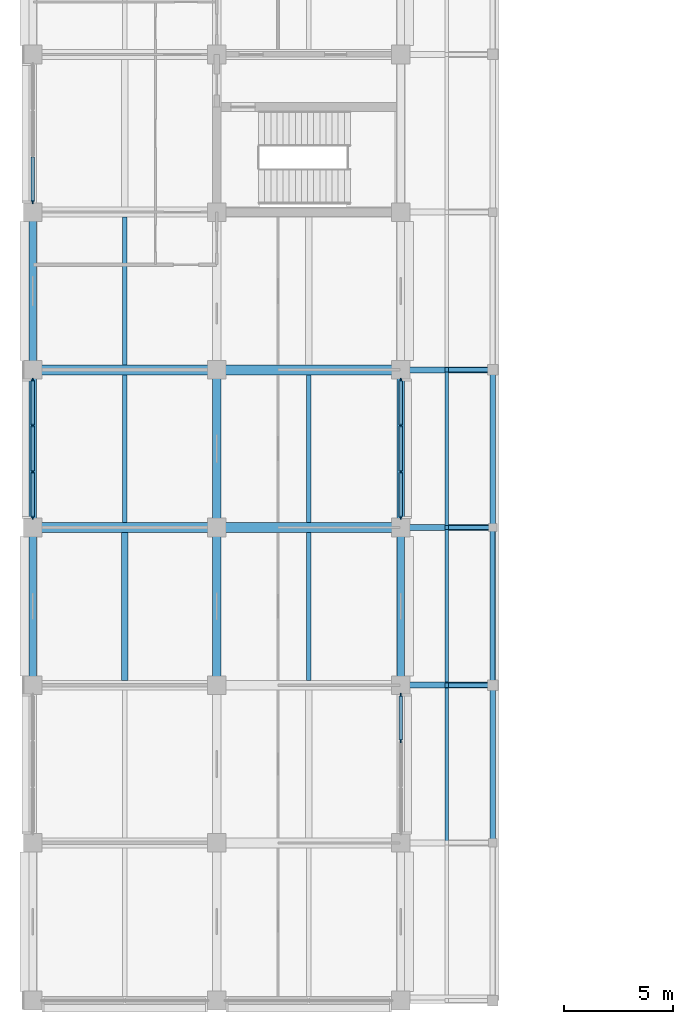
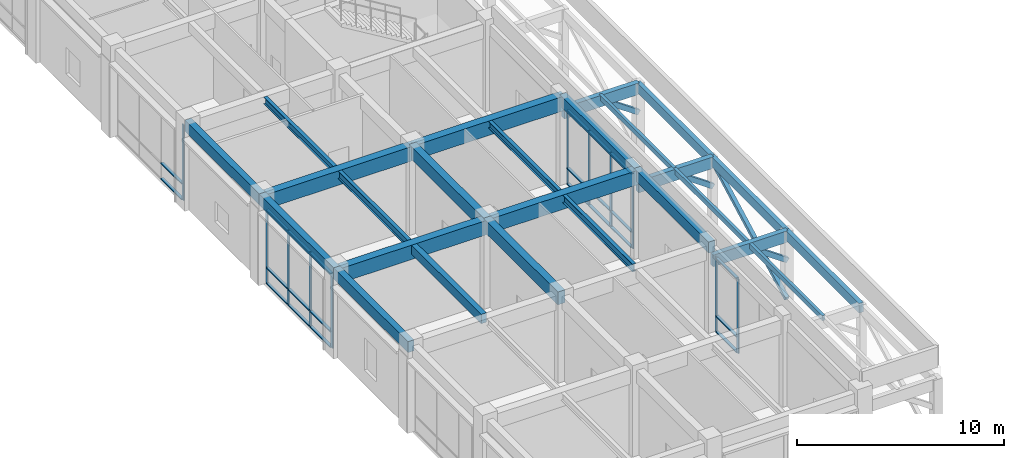
# One storey, part 5 of 68: 41 members, 22 beams, 4 elements without a shape of their own.
"""IFC4 building model written with IfcOpenShell, lengths in metres."""

from ifc_helpers import new_model, si_unit, direction, frame, origin, origin_2d, place, context, subcontext, project, spatial, rectangle, i_section, extrude, material, layer, layer_set, material_profile, profile_set, type_object, element, aggregate, save


model = new_model("IFC4")

# Units and contexts
model_context = context("Model", 3, precision=1e-05, world=origin(), true_north=direction((0.0, 1.0)))
body_context = subcontext(model_context, "Body", "Model", "MODEL_VIEW")
ifc_project = project(units=[si_unit("LENGTHUNIT", "METRE"), si_unit("AREAUNIT", "SQUARE_METRE"), si_unit("VOLUMEUNIT", "CUBIC_METRE"), si_unit("PLANEANGLEUNIT", "RADIAN"), si_unit("MASSUNIT", "GRAM", prefix="KILO")], contexts=[model_context])

# Site, building, storey
site_placement = place(None, origin())
site = spatial("IfcSite", under=ifc_project, at=site_placement, CompositionType="ELEMENT")
building_placement = place(site_placement, origin())
building = spatial("IfcBuilding", under=site, at=building_placement, Name="Chengyuan Square Courthouse", CompositionType="ELEMENT")
storey_placement = place(building_placement, frame((0.0, 0.0, 5.39990234375)))
storey = spatial("IfcBuildingStorey", under=building, at=storey_placement, Name="L02", CompositionType="ELEMENT", Elevation=5.39990234375)

# Beams
ifc_material_1 = material(Name="Concrete C40", Category="concrete")
ifc_material_profile_1 = material_profile(ifc_material_1, rectangle(XDim=0.449951171875, YDim=0.85009765625, at=origin_2d()), Name="RC-BM-450x850")
ifc_profile_set_1 = profile_set([ifc_material_profile_1], Name="Concrete C40")
beam_type_1 = type_object("IfcBeamType", Name="BM-01", PredefinedType="USERDEFINED", material=ifc_profile_set_1)
beam_1_placement = place(storey_placement, frame((0.0, 21.60009765625, 4.625), z_axis=(1.0, 0.0, 0.0), x_axis=(0.0, 1.0, 0.0)))
element("IfcBeam", 1, at=beam_1_placement, inside=storey, type_object=beam_type_1, Name="Girder BM-L02-2083", ObjectType="GIRDER", PredefinedType="USERDEFINED", context=body_context, shape_type="SweptSolid", body=[
    extrude(rectangle(XDim=0.449951171875, YDim=0.85009765625, at=origin_2d()), origin(), (0.0, 0.0, 1.0), 8.39990234375),
])
beam_2_placement = place(storey_placement, frame((8.39990234375, 21.60009765625, 4.625), z_axis=(1.0, 0.0, 0.0), x_axis=(0.0, 1.0, 0.0)))
element("IfcBeam", 2, at=beam_2_placement, inside=storey, type_object=beam_type_1, Name="Girder BM-L02-2084", ObjectType="GIRDER", PredefinedType="USERDEFINED", context=body_context, shape_type="SweptSolid", body=[
    extrude(rectangle(XDim=0.449951171875, YDim=0.85009765625, at=origin_2d()), origin(), (0.0, 0.0, 1.0), 8.400146484375),
])
beam_3_placement = place(storey_placement, frame((0.0, 28.800048828125, 4.625), z_axis=(1.0, 0.0, 0.0), x_axis=(0.0, 1.0, 0.0)))
element("IfcBeam", 3, at=beam_3_placement, inside=storey, type_object=beam_type_1, Name="Girder BM-L02-2087", ObjectType="GIRDER", PredefinedType="USERDEFINED", context=body_context, shape_type="SweptSolid", body=[
    extrude(rectangle(XDim=0.449951171875, YDim=0.85009765625, at=origin_2d()), origin(), (0.0, 0.0, 1.0), 8.39990234375),
])
beam_4_placement = place(storey_placement, frame((8.39990234375, 28.800048828125, 4.625), z_axis=(1.0, 0.0, 0.0), x_axis=(0.0, 1.0, 0.0)))
element("IfcBeam", 4, at=beam_4_placement, inside=storey, type_object=beam_type_1, Name="Girder BM-L02-2088", ObjectType="GIRDER", PredefinedType="USERDEFINED", context=body_context, shape_type="SweptSolid", body=[
    extrude(rectangle(XDim=0.449951171875, YDim=0.85009765625, at=origin_2d()), origin(), (0.0, 0.0, 1.0), 8.400146484375),
])
ifc_material_profile_2 = material_profile(ifc_material_1, rectangle(XDim=0.39990234375, YDim=0.75, at=origin_2d()), Name="RC-BM-400x750")
ifc_profile_set_2 = profile_set([ifc_material_profile_2], Name="Concrete C40")
beam_type_2 = type_object("IfcBeamType", Name="BM-02", PredefinedType="USERDEFINED", material=ifc_profile_set_2)
beam_5_placement = place(storey_placement, frame((8.39990234375, 14.39990234375, 4.675048828125), z_axis=(0.0, 1.0, 0.0), x_axis=(-1.0, 0.0, 0.0)))
element("IfcBeam", 5, at=beam_5_placement, inside=storey, type_object=beam_type_2, Name="Girder BM-L02-2244", ObjectType="GIRDER", PredefinedType="USERDEFINED", context=body_context, shape_type="SweptSolid", body=[
    extrude(rectangle(XDim=0.39990234375, YDim=0.75, at=origin_2d()), origin(), (0.0, 0.0, 1.0), 7.2001953125),
])
beam_6_placement = place(storey_placement, frame((8.39990234375, 21.60009765625, 4.675048828125), z_axis=(0.0, 1.0, 0.0), x_axis=(-1.0, 0.0, 0.0)))
element("IfcBeam", 6, at=beam_6_placement, inside=storey, type_object=beam_type_2, Name="Girder BM-L02-2245", ObjectType="GIRDER", PredefinedType="USERDEFINED", context=body_context, shape_type="SweptSolid", body=[
    extrude(rectangle(XDim=0.39990234375, YDim=0.75, at=origin_2d()), origin(), (0.0, 0.0, 1.0), 7.199951171875),
])
ifc_material_profile_3 = material_profile(ifc_material_1, rectangle(XDim=0.35009765625, YDim=0.64990234375, at=origin_2d()), Name="RC-BM-350x650")
ifc_profile_set_3 = profile_set([ifc_material_profile_3], Name="Concrete C40")
beam_type_3 = type_object("IfcBeamType", Name="BM-03", PredefinedType="SPANDREL", material=ifc_profile_set_3)
beam_7_placement = place(storey_placement, frame((0.0, 14.39990234375, 4.72509765625), z_axis=(0.0, 1.0, 0.0), x_axis=(-1.0, 0.0, 0.0)))
element("IfcBeam", 7, at=beam_7_placement, inside=storey, type_object=beam_type_3, Name="Girder BM-L02-2229", PredefinedType="SPANDREL", context=body_context, shape_type="SweptSolid", body=[
    extrude(rectangle(XDim=0.35009765625, YDim=0.64990234375, at=origin_2d()), origin(), (0.0, 0.0, 1.0), 7.2001953125),
])
for number, where, z_axis, x_axis, name in (
    (8, (0.0, 21.60009765625, 4.72509765625), (0.0, 1.0, 0.0), (-1.0, 0.0, 0.0), "Girder BM-L02-2230"),
    (9, (0.0, 28.800048828125, 4.72509765625), (0.0, 1.0, 0.0), (-1.0, 0.0, 0.0), "Girder BM-L02-2231"),
):
    element("IfcBeam", number, at=place(storey_placement, frame(where, z_axis=z_axis, x_axis=x_axis)), inside=storey, type_object=beam_type_3, Name=name, PredefinedType="SPANDREL", context=body_context, shape_type="SweptSolid", body=[
        extrude(rectangle(XDim=0.35009765625, YDim=0.64990234375, at=origin_2d()), origin(), (0.0, 0.0, 1.0), 7.199951171875),
    ])
beam_8_placement = place(storey_placement, frame((16.800048828125, 14.39990234375, 4.72509765625), z_axis=(0.0, 1.0, 0.0), x_axis=(-1.0, 0.0, 0.0)))
element("IfcBeam", 10, at=beam_8_placement, inside=storey, type_object=beam_type_3, Name="Girder BM-L02-2259", PredefinedType="SPANDREL", context=body_context, shape_type="SweptSolid", body=[
    extrude(rectangle(XDim=0.35009765625, YDim=0.64990234375, at=origin_2d()), origin(), (0.0, 0.0, 1.0), 7.2001953125),
])
beam_9_placement = place(storey_placement, frame((16.800048828125, 21.60009765625, 4.72509765625), z_axis=(0.0, 1.0, 0.0), x_axis=(-1.0, 0.0, 0.0)))
element("IfcBeam", 11, at=beam_9_placement, inside=storey, type_object=beam_type_3, Name="Girder BM-L02-2260", PredefinedType="SPANDREL", context=body_context, shape_type="SweptSolid", body=[
    extrude(rectangle(XDim=0.35009765625, YDim=0.64990234375, at=origin_2d()), origin(), (0.0, 0.0, 1.0), 7.199951171875),
])
ifc_material_profile_4 = material_profile(ifc_material_1, rectangle(XDim=0.300048828125, YDim=0.550048828125, at=origin_2d()), Name="RC-BM-300x550")
ifc_profile_set_4 = profile_set([ifc_material_profile_4], Name="Concrete C40")
beam_type_4 = type_object("IfcBeamType", Name="BM-04", PredefinedType="BEAM", material=ifc_profile_set_4)
beam_10_placement = place(storey_placement, frame((4.199951171875, 14.625, 4.775146484375), z_axis=(0.0, 1.0, 0.0), x_axis=(-1.0, 0.0, 0.0)))
element("IfcBeam", 12, at=beam_10_placement, inside=storey, type_object=beam_type_4, Name="Secondary Floor Beam SBM-L02-2392", PredefinedType="BEAM", context=body_context, shape_type="SweptSolid", body=[
    extrude(rectangle(XDim=0.300048828125, YDim=0.550048828125, at=origin_2d()), origin(), (0.0, 0.0, 1.0), 6.75),
])
ifc_material_2 = material(Name="Steel Q355B", Category="steel")
ifc_material_profile_5 = material_profile(ifc_material_2, i_section(OverallWidth=0.199951171875, OverallDepth=0.449951171875, WebThickness=0.009033203125, FlangeThickness=0.013916015625, at=origin_2d()), Name="HN 450x200x9x14")
ifc_profile_set_5 = profile_set([ifc_material_profile_5], Name="Steel Q355B")
beam_type_5 = type_object("IfcBeamType", Name="BM-06", PredefinedType="BEAM", material=ifc_profile_set_5)
for number, where, z_axis, x_axis, name in (
    (13, (4.199951171875, 21.824951171875, 4.8251953125), (0.0, 1.0, 0.0), (-1.0, 0.0, 0.0), "Secondary Floor Beam SBM-L02-2393"),
    (14, (12.60009765625, 14.625, 4.8251953125), (0.0, 1.0, 0.0), (-1.0, 0.0, 0.0), "Secondary Floor Beam SBM-L02-2407"),
):
    element("IfcBeam", number, at=place(storey_placement, frame(where, z_axis=z_axis, x_axis=x_axis)), inside=storey, type_object=beam_type_5, Name=name, PredefinedType="BEAM", context=body_context, shape_type="SweptSolid", body=[
        extrude(i_section(OverallWidth=0.199951171875, OverallDepth=0.449951171875, WebThickness=0.009033203125, FlangeThickness=0.013916015625, at=origin_2d()), origin(), (0.0, 0.0, 1.0), 6.75),
    ])
ifc_material_profile_6 = material_profile(ifc_material_2, i_section(OverallWidth=0.199951171875, OverallDepth=0.39990234375, WebThickness=0.008056640625, FlangeThickness=0.012939453125, at=origin_2d()), Name="HN 400x200x8x13")
ifc_profile_set_6 = profile_set([ifc_material_profile_6], Name="Steel Q355B")
beam_type_6 = type_object("IfcBeamType", Name="BM-07", PredefinedType="BEAM", material=ifc_profile_set_6)
for number, where, z_axis, x_axis, name in (
    (15, (4.199951171875, 29.02490234375, 4.85009765625), (0.0, 1.0, 0.0), (-1.0, 0.0, 0.0), "Secondary Floor Beam SBM-L02-2394"),
    (16, (12.60009765625, 21.824951171875, 4.85009765625), (0.0, 1.0, 0.0), (-1.0, 0.0, 0.0), "Secondary Floor Beam SBM-L02-2408"),
):
    element("IfcBeam", number, at=place(storey_placement, frame(where, z_axis=z_axis, x_axis=x_axis)), inside=storey, type_object=beam_type_6, Name=name, PredefinedType="BEAM", context=body_context, shape_type="SweptSolid", body=[
        extrude(i_section(OverallWidth=0.199951171875, OverallDepth=0.39990234375, WebThickness=0.008056640625, FlangeThickness=0.012939453125, at=origin_2d()), origin(), (0.0, 0.0, 1.0), 6.75),
    ])

# Member
ifc_material_3 = material(Name="Glulam TCt28", Category="wood")
ifc_material_profile_7 = material_profile(ifc_material_3, rectangle(XDim=0.219970703125, YDim=0.219970703125, at=origin_2d()), Name="GL-BR-220x220")
ifc_profile_set_7 = profile_set([ifc_material_profile_7], Name="Glulam TCt28")
member_type_1 = type_object("IfcMemberType", Name="BR-03", PredefinedType="BRACE", material=ifc_profile_set_7)
member_1_placement = place(storey_placement, frame((21.0, 14.39990234375, 0.2001953125), z_axis=(0.0, 0.883383945961, 0.468649980283), x_axis=(-1.0, 0.0, 0.0)))
element("IfcMember", 17, at=member_1_placement, inside=storey, type_object=member_type_1, Name="Glulam Colonnade Portal Brace GBR-L02-003", PredefinedType="BRACE", context=body_context, shape_type="SweptSolid", body=[
    extrude(rectangle(XDim=0.219970703125, YDim=0.219970703125, at=origin_2d()), origin(), (0.0, 0.0, 1.0), 8.150634765625),
])

# Curtain wall, members
ifc_material_4 = material(Name="Unitised Aluminium and Triple Low-E Glass", Category="aluminium")
ifc_layer = layer(ifc_material_4, 0.159912109375)
ifc_layer_set = layer_set([ifc_layer], Name="Unitised Aluminium and Triple Low-E Glass")
curtain_wall_type = type_object("IfcCurtainWallType", Name="CW-17", PredefinedType="USERDEFINED", material=ifc_layer_set)
curtain_wall_1_placement = place(storey_placement, origin())
curtain_wall_1 = element("IfcCurtainWall", 18, at=curtain_wall_1_placement, inside=storey, type_object=curtain_wall_type, Name="Unitised Curtain Wall CW-L02-045", ObjectType="UNITISED CURTAIN WALL", PredefinedType="USERDEFINED")
ifc_material_5 = material(Name="Aluminium 6063-T6 Frame", Category="aluminium")
ifc_material_profile_8 = material_profile(ifc_material_5, rectangle(XDim=0.06005859375, YDim=0.159912109375, at=origin_2d()), Name="CW-MUL-60x160")
ifc_profile_set_8 = profile_set([ifc_material_profile_8], Name="Aluminium 6063-T6 Frame")
member_type_2 = type_object("IfcMemberType", Name="CWM-01", PredefinedType="MULLION", material=ifc_profile_set_8)
member_2_placement = place(storey_placement, frame((0.0, 22.054931640625, 0.0), z_axis=(0.0, 0.0, 1.0), x_axis=(-1.0, 0.0, 0.0)))
member_2 = element("IfcMember", 19, at=member_2_placement, type_object=member_type_2, Name="CW-17 mullion 1", PredefinedType="MULLION", context=body_context, shape_type="SweptSolid", body=[
    extrude(rectangle(XDim=0.06005859375, YDim=0.159912109375, at=origin_2d()), origin(), (0.0, 0.0, 1.0), 4.400146484375),
])
member_3_placement = place(storey_placement, frame((0.0, 24.1416015625, 0.0), z_axis=(0.0, 0.0, 1.0), x_axis=(-1.0, 0.0, 0.0)))
member_3 = element("IfcMember", 20, at=member_3_placement, type_object=member_type_2, Name="CW-17 mullion 2", PredefinedType="MULLION", context=body_context, shape_type="SweptSolid", body=[
    extrude(rectangle(XDim=0.06005859375, YDim=0.159912109375, at=origin_2d()), origin(), (0.0, 0.0, 1.0), 4.400146484375),
])
member_4_placement = place(storey_placement, frame((0.0, 26.25830078125, 0.0), z_axis=(0.0, 0.0, 1.0), x_axis=(-1.0, 0.0, 0.0)))
member_4 = element("IfcMember", 21, at=member_4_placement, type_object=member_type_2, Name="CW-17 mullion 3", PredefinedType="MULLION", context=body_context, shape_type="SweptSolid", body=[
    extrude(rectangle(XDim=0.06005859375, YDim=0.159912109375, at=origin_2d()), origin(), (0.0, 0.0, 1.0), 4.400146484375),
])
member_5_placement = place(storey_placement, frame((0.0, 28.344970703125, 0.0), z_axis=(0.0, 0.0, 1.0), x_axis=(-1.0, 0.0, 0.0)))
member_5 = element("IfcMember", 22, at=member_5_placement, type_object=member_type_2, Name="CW-17 mullion 4", PredefinedType="MULLION", context=body_context, shape_type="SweptSolid", body=[
    extrude(rectangle(XDim=0.06005859375, YDim=0.159912109375, at=origin_2d()), origin(), (0.0, 0.0, 1.0), 4.400146484375),
])

# Curtain wall, member
curtain_wall_2_placement = place(storey_placement, origin())
curtain_wall_2 = element("IfcCurtainWall", 23, at=curtain_wall_2_placement, inside=storey, type_object=curtain_wall_type, Name="Unitised Curtain Wall CW-L02-046", ObjectType="UNITISED CURTAIN WALL", PredefinedType="USERDEFINED")
member_6_placement = place(storey_placement, frame((0.0, 36.455078125, 0.0), z_axis=(0.0, 0.0, 1.0), x_axis=(-1.0, 0.0, 0.0)))
member_6 = element("IfcMember", 24, at=member_6_placement, type_object=member_type_2, Name="CW-17 mullion 1", PredefinedType="MULLION", context=body_context, shape_type="SweptSolid", body=[
    extrude(rectangle(XDim=0.06005859375, YDim=0.159912109375, at=origin_2d()), origin(), (0.0, 0.0, 1.0), 4.47021484375),
])

# Curtain wall, members
curtain_wall_3_placement = place(storey_placement, origin())
curtain_wall_3 = element("IfcCurtainWall", 25, at=curtain_wall_3_placement, inside=storey, type_object=curtain_wall_type, Name="Unitised Curtain Wall CW-L02-050", ObjectType="UNITISED CURTAIN WALL", PredefinedType="USERDEFINED")
member_7_placement = place(storey_placement, frame((16.800048828125, 11.8583984375, 0.0), z_axis=(0.0, 0.0, 1.0), x_axis=(-1.0, 0.0, 0.0)))
member_7 = element("IfcMember", 26, at=member_7_placement, type_object=member_type_2, Name="CW-17 mullion 3", PredefinedType="MULLION", context=body_context, shape_type="SweptSolid", body=[
    extrude(rectangle(XDim=0.06005859375, YDim=0.159912109375, at=origin_2d()), origin(), (0.0, 0.0, 1.0), 4.400146484375),
])
member_8_placement = place(storey_placement, frame((16.800048828125, 13.945068359375, 0.0), z_axis=(0.0, 0.0, 1.0), x_axis=(-1.0, 0.0, 0.0)))
member_8 = element("IfcMember", 27, at=member_8_placement, type_object=member_type_2, Name="CW-17 mullion 4", PredefinedType="MULLION", context=body_context, shape_type="SweptSolid", body=[
    extrude(rectangle(XDim=0.06005859375, YDim=0.159912109375, at=origin_2d()), origin(), (0.0, 0.0, 1.0), 4.400146484375),
])

curtain_wall_4_placement = place(storey_placement, origin())
curtain_wall_4 = element("IfcCurtainWall", 28, at=curtain_wall_4_placement, inside=storey, type_object=curtain_wall_type, Name="Unitised Curtain Wall CW-L02-051", ObjectType="UNITISED CURTAIN WALL", PredefinedType="USERDEFINED")
member_9_placement = place(storey_placement, frame((16.800048828125, 22.054931640625, 0.0), z_axis=(0.0, 0.0, 1.0), x_axis=(-1.0, 0.0, 0.0)))
member_9 = element("IfcMember", 29, at=member_9_placement, type_object=member_type_2, Name="CW-17 mullion 1", PredefinedType="MULLION", context=body_context, shape_type="SweptSolid", body=[
    extrude(rectangle(XDim=0.06005859375, YDim=0.159912109375, at=origin_2d()), origin(), (0.0, 0.0, 1.0), 4.400146484375),
])
member_10_placement = place(storey_placement, frame((16.800048828125, 24.1416015625, 0.0), z_axis=(0.0, 0.0, 1.0), x_axis=(-1.0, 0.0, 0.0)))
member_10 = element("IfcMember", 30, at=member_10_placement, type_object=member_type_2, Name="CW-17 mullion 2", PredefinedType="MULLION", context=body_context, shape_type="SweptSolid", body=[
    extrude(rectangle(XDim=0.06005859375, YDim=0.159912109375, at=origin_2d()), origin(), (0.0, 0.0, 1.0), 4.400146484375),
])
member_11_placement = place(storey_placement, frame((16.800048828125, 26.25830078125, 0.0), z_axis=(0.0, 0.0, 1.0), x_axis=(-1.0, 0.0, 0.0)))
member_11 = element("IfcMember", 31, at=member_11_placement, type_object=member_type_2, Name="CW-17 mullion 3", PredefinedType="MULLION", context=body_context, shape_type="SweptSolid", body=[
    extrude(rectangle(XDim=0.06005859375, YDim=0.159912109375, at=origin_2d()), origin(), (0.0, 0.0, 1.0), 4.400146484375),
])
member_12_placement = place(storey_placement, frame((16.800048828125, 28.344970703125, 0.0), z_axis=(0.0, 0.0, 1.0), x_axis=(-1.0, 0.0, 0.0)))
member_12 = element("IfcMember", 32, at=member_12_placement, type_object=member_type_2, Name="CW-17 mullion 4", PredefinedType="MULLION", context=body_context, shape_type="SweptSolid", body=[
    extrude(rectangle(XDim=0.06005859375, YDim=0.159912109375, at=origin_2d()), origin(), (0.0, 0.0, 1.0), 4.400146484375),
])

# Member
ifc_material_profile_9 = material_profile(ifc_material_5, rectangle(XDim=0.159912109375, YDim=0.06005859375, at=origin_2d()), Name="CW-TRN-60x120")
ifc_profile_set_9 = profile_set([ifc_material_profile_9], Name="Aluminium 6063-T6 Frame")
member_type_3 = type_object("IfcMemberType", Name="CWT-01", PredefinedType="USERDEFINED", material=ifc_profile_set_9)
member_13_placement = place(storey_placement, frame((0.0, 22.0849609375, 0.030029296875), z_axis=(0.0, 1.0, 0.0), x_axis=(-1.0, 0.0, 0.0)))
member_13 = element("IfcMember", 33, at=member_13_placement, type_object=member_type_3, Name="CW-17 transom 1.1", ObjectType="TRANSOM", PredefinedType="USERDEFINED", context=body_context, shape_type="SweptSolid", body=[
    extrude(rectangle(XDim=0.159912109375, YDim=0.06005859375, at=origin_2d()), origin(), (0.0, 0.0, 1.0), 2.026611328125),
])

member_14_placement = place(storey_placement, frame((0.0, 22.0849609375, 0.9501953125), z_axis=(0.0, 1.0, 0.0), x_axis=(-1.0, 0.0, 0.0)))
member_14 = element("IfcMember", 34, at=member_14_placement, type_object=member_type_3, Name="CW-17 transom 1.2", ObjectType="TRANSOM", PredefinedType="USERDEFINED", context=body_context, shape_type="SweptSolid", body=[
    extrude(rectangle(XDim=0.159912109375, YDim=0.06005859375, at=origin_2d()), origin(), (0.0, 0.0, 1.0), 2.026611328125),
])

member_15_placement = place(storey_placement, frame((0.0, 22.0849609375, 4.3701171875), z_axis=(0.0, 1.0, 0.0), x_axis=(-1.0, 0.0, 0.0)))
member_15 = element("IfcMember", 35, at=member_15_placement, type_object=member_type_3, Name="CW-17 transom 1.3", ObjectType="TRANSOM", PredefinedType="USERDEFINED", context=body_context, shape_type="SweptSolid", body=[
    extrude(rectangle(XDim=0.159912109375, YDim=0.06005859375, at=origin_2d()), origin(), (0.0, 0.0, 1.0), 2.026611328125),
])

member_16_placement = place(storey_placement, frame((0.0, 24.171630859375, 0.030029296875), z_axis=(0.0, 1.0, 0.0), x_axis=(-1.0, 0.0, 0.0)))
member_16 = element("IfcMember", 36, at=member_16_placement, type_object=member_type_3, Name="CW-17 transom 2.1", ObjectType="TRANSOM", PredefinedType="USERDEFINED", context=body_context, shape_type="SweptSolid", body=[
    extrude(rectangle(XDim=0.159912109375, YDim=0.06005859375, at=origin_2d()), origin(), (0.0, 0.0, 1.0), 2.056640625),
])

member_17_placement = place(storey_placement, frame((0.0, 24.171630859375, 0.9501953125), z_axis=(0.0, 1.0, 0.0), x_axis=(-1.0, 0.0, 0.0)))
member_17 = element("IfcMember", 37, at=member_17_placement, type_object=member_type_3, Name="CW-17 transom 2.2", ObjectType="TRANSOM", PredefinedType="USERDEFINED", context=body_context, shape_type="SweptSolid", body=[
    extrude(rectangle(XDim=0.159912109375, YDim=0.06005859375, at=origin_2d()), origin(), (0.0, 0.0, 1.0), 2.056640625),
])

member_18_placement = place(storey_placement, frame((0.0, 24.171630859375, 4.3701171875), z_axis=(0.0, 1.0, 0.0), x_axis=(-1.0, 0.0, 0.0)))
member_18 = element("IfcMember", 38, at=member_18_placement, type_object=member_type_3, Name="CW-17 transom 2.3", ObjectType="TRANSOM", PredefinedType="USERDEFINED", context=body_context, shape_type="SweptSolid", body=[
    extrude(rectangle(XDim=0.159912109375, YDim=0.06005859375, at=origin_2d()), origin(), (0.0, 0.0, 1.0), 2.056640625),
])

member_19_placement = place(storey_placement, frame((0.0, 26.288330078125, 0.030029296875), z_axis=(0.0, 1.0, 0.0), x_axis=(-1.0, 0.0, 0.0)))
member_19 = element("IfcMember", 39, at=member_19_placement, type_object=member_type_3, Name="CW-17 transom 3.1", ObjectType="TRANSOM", PredefinedType="USERDEFINED", context=body_context, shape_type="SweptSolid", body=[
    extrude(rectangle(XDim=0.159912109375, YDim=0.06005859375, at=origin_2d()), origin(), (0.0, 0.0, 1.0), 2.026611328125),
])

member_20_placement = place(storey_placement, frame((0.0, 26.288330078125, 0.9501953125), z_axis=(0.0, 1.0, 0.0), x_axis=(-1.0, 0.0, 0.0)))
member_20 = element("IfcMember", 40, at=member_20_placement, type_object=member_type_3, Name="CW-17 transom 3.2", ObjectType="TRANSOM", PredefinedType="USERDEFINED", context=body_context, shape_type="SweptSolid", body=[
    extrude(rectangle(XDim=0.159912109375, YDim=0.06005859375, at=origin_2d()), origin(), (0.0, 0.0, 1.0), 2.026611328125),
])

member_21_placement = place(storey_placement, frame((0.0, 26.288330078125, 4.3701171875), z_axis=(0.0, 1.0, 0.0), x_axis=(-1.0, 0.0, 0.0)))
member_21 = element("IfcMember", 41, at=member_21_placement, type_object=member_type_3, Name="CW-17 transom 3.3", ObjectType="TRANSOM", PredefinedType="USERDEFINED", context=body_context, shape_type="SweptSolid", body=[
    extrude(rectangle(XDim=0.159912109375, YDim=0.06005859375, at=origin_2d()), origin(), (0.0, 0.0, 1.0), 2.026611328125),
])

aggregate(curtain_wall_1, [member_2, member_3, member_4, member_5, member_13, member_14, member_15, member_16, member_17, member_18, member_19, member_20, member_21])

member_22_placement = place(storey_placement, frame((0.0, 36.485107421875, 0.030029296875), z_axis=(0.0, 1.0, 0.0), x_axis=(-1.0, 0.0, 0.0)))
member_22 = element("IfcMember", 42, at=member_22_placement, type_object=member_type_3, Name="CW-17 transom 1.1", ObjectType="TRANSOM", PredefinedType="USERDEFINED", context=body_context, shape_type="SweptSolid", body=[
    extrude(rectangle(XDim=0.159912109375, YDim=0.06005859375, at=origin_2d()), origin(), (0.0, 0.0, 1.0), 2.026611328125),
])

member_23_placement = place(storey_placement, frame((0.0, 36.485107421875, 0.9501953125), z_axis=(0.0, 1.0, 0.0), x_axis=(-1.0, 0.0, 0.0)))
member_23 = element("IfcMember", 43, at=member_23_placement, type_object=member_type_3, Name="CW-17 transom 1.2", ObjectType="TRANSOM", PredefinedType="USERDEFINED", context=body_context, shape_type="SweptSolid", body=[
    extrude(rectangle(XDim=0.159912109375, YDim=0.06005859375, at=origin_2d()), origin(), (0.0, 0.0, 1.0), 2.026611328125),
])

aggregate(curtain_wall_2, [member_6, member_22, member_23])

member_24_placement = place(storey_placement, frame((16.800048828125, 11.888427734375, 0.030029296875), z_axis=(0.0, 1.0, 0.0), x_axis=(-1.0, 0.0, 0.0)))
member_24 = element("IfcMember", 44, at=member_24_placement, type_object=member_type_3, Name="CW-17 transom 3.1", ObjectType="TRANSOM", PredefinedType="USERDEFINED", context=body_context, shape_type="SweptSolid", body=[
    extrude(rectangle(XDim=0.159912109375, YDim=0.06005859375, at=origin_2d()), origin(), (0.0, 0.0, 1.0), 2.026611328125),
])

member_25_placement = place(storey_placement, frame((16.800048828125, 11.888427734375, 0.9501953125), z_axis=(0.0, 1.0, 0.0), x_axis=(-1.0, 0.0, 0.0)))
member_25 = element("IfcMember", 45, at=member_25_placement, type_object=member_type_3, Name="CW-17 transom 3.2", ObjectType="TRANSOM", PredefinedType="USERDEFINED", context=body_context, shape_type="SweptSolid", body=[
    extrude(rectangle(XDim=0.159912109375, YDim=0.06005859375, at=origin_2d()), origin(), (0.0, 0.0, 1.0), 2.026611328125),
])

member_26_placement = place(storey_placement, frame((16.800048828125, 11.888427734375, 4.3701171875), z_axis=(0.0, 1.0, 0.0), x_axis=(-1.0, 0.0, 0.0)))
member_26 = element("IfcMember", 46, at=member_26_placement, type_object=member_type_3, Name="CW-17 transom 3.3", ObjectType="TRANSOM", PredefinedType="USERDEFINED", context=body_context, shape_type="SweptSolid", body=[
    extrude(rectangle(XDim=0.159912109375, YDim=0.06005859375, at=origin_2d()), origin(), (0.0, 0.0, 1.0), 2.026611328125),
])

aggregate(curtain_wall_3, [member_7, member_8, member_24, member_25, member_26])

member_27_placement = place(storey_placement, frame((16.800048828125, 22.0849609375, 0.030029296875), z_axis=(0.0, 1.0, 0.0), x_axis=(-1.0, 0.0, 0.0)))
member_27 = element("IfcMember", 47, at=member_27_placement, type_object=member_type_3, Name="CW-17 transom 1.1", ObjectType="TRANSOM", PredefinedType="USERDEFINED", context=body_context, shape_type="SweptSolid", body=[
    extrude(rectangle(XDim=0.159912109375, YDim=0.06005859375, at=origin_2d()), origin(), (0.0, 0.0, 1.0), 2.026611328125),
])

member_28_placement = place(storey_placement, frame((16.800048828125, 22.0849609375, 0.9501953125), z_axis=(0.0, 1.0, 0.0), x_axis=(-1.0, 0.0, 0.0)))
member_28 = element("IfcMember", 48, at=member_28_placement, type_object=member_type_3, Name="CW-17 transom 1.2", ObjectType="TRANSOM", PredefinedType="USERDEFINED", context=body_context, shape_type="SweptSolid", body=[
    extrude(rectangle(XDim=0.159912109375, YDim=0.06005859375, at=origin_2d()), origin(), (0.0, 0.0, 1.0), 2.026611328125),
])

member_29_placement = place(storey_placement, frame((16.800048828125, 22.0849609375, 4.3701171875), z_axis=(0.0, 1.0, 0.0), x_axis=(-1.0, 0.0, 0.0)))
member_29 = element("IfcMember", 49, at=member_29_placement, type_object=member_type_3, Name="CW-17 transom 1.3", ObjectType="TRANSOM", PredefinedType="USERDEFINED", context=body_context, shape_type="SweptSolid", body=[
    extrude(rectangle(XDim=0.159912109375, YDim=0.06005859375, at=origin_2d()), origin(), (0.0, 0.0, 1.0), 2.026611328125),
])

member_30_placement = place(storey_placement, frame((16.800048828125, 24.171630859375, 0.030029296875), z_axis=(0.0, 1.0, 0.0), x_axis=(-1.0, 0.0, 0.0)))
member_30 = element("IfcMember", 50, at=member_30_placement, type_object=member_type_3, Name="CW-17 transom 2.1", ObjectType="TRANSOM", PredefinedType="USERDEFINED", context=body_context, shape_type="SweptSolid", body=[
    extrude(rectangle(XDim=0.159912109375, YDim=0.06005859375, at=origin_2d()), origin(), (0.0, 0.0, 1.0), 2.056640625),
])

member_31_placement = place(storey_placement, frame((16.800048828125, 24.171630859375, 0.9501953125), z_axis=(0.0, 1.0, 0.0), x_axis=(-1.0, 0.0, 0.0)))
member_31 = element("IfcMember", 51, at=member_31_placement, type_object=member_type_3, Name="CW-17 transom 2.2", ObjectType="TRANSOM", PredefinedType="USERDEFINED", context=body_context, shape_type="SweptSolid", body=[
    extrude(rectangle(XDim=0.159912109375, YDim=0.06005859375, at=origin_2d()), origin(), (0.0, 0.0, 1.0), 2.056640625),
])

member_32_placement = place(storey_placement, frame((16.800048828125, 24.171630859375, 4.3701171875), z_axis=(0.0, 1.0, 0.0), x_axis=(-1.0, 0.0, 0.0)))
member_32 = element("IfcMember", 52, at=member_32_placement, type_object=member_type_3, Name="CW-17 transom 2.3", ObjectType="TRANSOM", PredefinedType="USERDEFINED", context=body_context, shape_type="SweptSolid", body=[
    extrude(rectangle(XDim=0.159912109375, YDim=0.06005859375, at=origin_2d()), origin(), (0.0, 0.0, 1.0), 2.056640625),
])

member_33_placement = place(storey_placement, frame((16.800048828125, 26.288330078125, 0.030029296875), z_axis=(0.0, 1.0, 0.0), x_axis=(-1.0, 0.0, 0.0)))
member_33 = element("IfcMember", 53, at=member_33_placement, type_object=member_type_3, Name="CW-17 transom 3.1", ObjectType="TRANSOM", PredefinedType="USERDEFINED", context=body_context, shape_type="SweptSolid", body=[
    extrude(rectangle(XDim=0.159912109375, YDim=0.06005859375, at=origin_2d()), origin(), (0.0, 0.0, 1.0), 2.026611328125),
])

member_34_placement = place(storey_placement, frame((16.800048828125, 26.288330078125, 0.9501953125), z_axis=(0.0, 1.0, 0.0), x_axis=(-1.0, 0.0, 0.0)))
member_34 = element("IfcMember", 54, at=member_34_placement, type_object=member_type_3, Name="CW-17 transom 3.2", ObjectType="TRANSOM", PredefinedType="USERDEFINED", context=body_context, shape_type="SweptSolid", body=[
    extrude(rectangle(XDim=0.159912109375, YDim=0.06005859375, at=origin_2d()), origin(), (0.0, 0.0, 1.0), 2.026611328125),
])

member_35_placement = place(storey_placement, frame((16.800048828125, 26.288330078125, 4.3701171875), z_axis=(0.0, 1.0, 0.0), x_axis=(-1.0, 0.0, 0.0)))
member_35 = element("IfcMember", 55, at=member_35_placement, type_object=member_type_3, Name="CW-17 transom 3.3", ObjectType="TRANSOM", PredefinedType="USERDEFINED", context=body_context, shape_type="SweptSolid", body=[
    extrude(rectangle(XDim=0.159912109375, YDim=0.06005859375, at=origin_2d()), origin(), (0.0, 0.0, 1.0), 2.026611328125),
])

aggregate(curtain_wall_4, [member_9, member_10, member_11, member_12, member_27, member_28, member_29, member_30, member_31, member_32, member_33, member_34, member_35])

# Beams
ifc_material_profile_10 = material_profile(ifc_material_3, rectangle(XDim=0.280029296875, YDim=0.679931640625, at=origin_2d()), Name="GL-BM-280x680")
ifc_profile_set_10 = profile_set([ifc_material_profile_10], Name="Glulam TCt28")
beam_type_7 = type_object("IfcBeamType", Name="GLB-01", PredefinedType="BEAM", material=ifc_profile_set_10)
for number, where, z_axis, x_axis, name in (
    (56, (16.800048828125, 14.39990234375, 3.960205078125), (1.0, 0.0, 0.0), (0.0, 1.0, 0.0), "Glulam Colonnade Portal Beam GLB-L02-030"),
    (57, (16.800048828125, 21.60009765625, 3.960205078125), (1.0, 0.0, 0.0), (0.0, 1.0, 0.0), "Glulam Colonnade Portal Beam GLB-L02-032"),
    (58, (16.800048828125, 28.800048828125, 3.960205078125), (1.0, 0.0, 0.0), (0.0, 1.0, 0.0), "Glulam Colonnade Portal Beam GLB-L02-034"),
):
    element("IfcBeam", number, at=place(storey_placement, frame(where, z_axis=z_axis, x_axis=x_axis)), inside=storey, type_object=beam_type_7, Name=name, PredefinedType="BEAM", context=body_context, shape_type="SweptSolid", body=[
        extrude(rectangle(XDim=0.280029296875, YDim=0.679931640625, at=origin_2d()), origin(), (0.0, 0.0, 1.0), 4.199951171875),
    ])
ifc_material_profile_11 = material_profile(ifc_material_3, rectangle(XDim=0.239990234375, YDim=0.56005859375, at=origin_2d()), Name="GL-BM-240x560")
ifc_profile_set_11 = profile_set([ifc_material_profile_11], Name="Glulam TCt28")
beam_type_8 = type_object("IfcBeamType", Name="GLB-02", PredefinedType="BEAM", material=ifc_profile_set_11)
beam_11_placement = place(storey_placement, frame((21.0, 7.199951171875, 4.02001953125), z_axis=(0.0, 1.0, 0.0), x_axis=(-1.0, 0.0, 0.0)))
element("IfcBeam", 59, at=beam_11_placement, inside=storey, type_object=beam_type_8, Name="Glulam Colonnade Header GLH-L02-002", PredefinedType="BEAM", context=body_context, shape_type="SweptSolid", body=[
    extrude(rectangle(XDim=0.239990234375, YDim=0.56005859375, at=origin_2d()), origin(), (0.0, 0.0, 1.0), 7.199951171875),
])
beam_12_placement = place(storey_placement, frame((21.0, 14.39990234375, 4.02001953125), z_axis=(0.0, 1.0, 0.0), x_axis=(-1.0, 0.0, 0.0)))
element("IfcBeam", 60, at=beam_12_placement, inside=storey, type_object=beam_type_8, Name="Glulam Colonnade Header GLH-L02-003", PredefinedType="BEAM", context=body_context, shape_type="SweptSolid", body=[
    extrude(rectangle(XDim=0.239990234375, YDim=0.56005859375, at=origin_2d()), origin(), (0.0, 0.0, 1.0), 7.2001953125),
])
beam_13_placement = place(storey_placement, frame((21.0, 21.60009765625, 4.02001953125), z_axis=(0.0, 1.0, 0.0), x_axis=(-1.0, 0.0, 0.0)))
element("IfcBeam", 61, at=beam_13_placement, inside=storey, type_object=beam_type_8, Name="Glulam Colonnade Header GLH-L02-004", PredefinedType="BEAM", context=body_context, shape_type="SweptSolid", body=[
    extrude(rectangle(XDim=0.239990234375, YDim=0.56005859375, at=origin_2d()), origin(), (0.0, 0.0, 1.0), 7.199951171875),
])

# Members
ifc_material_profile_12 = material_profile(ifc_material_3, rectangle(XDim=0.159912109375, YDim=0.300048828125, at=origin_2d()), Name="GL-PRL-160x300")
ifc_profile_set_12 = profile_set([ifc_material_profile_12], Name="Glulam TCt28")
member_type_4 = type_object("IfcMemberType", Name="PRL-02", PredefinedType="PURLIN", material=ifc_profile_set_12)
member_36_placement = place(storey_placement, frame((18.89990234375, 7.199951171875, 4.150146484375), z_axis=(0.0, 1.0, 0.0), x_axis=(-1.0, 0.0, 0.0)))
element("IfcMember", 62, at=member_36_placement, inside=storey, type_object=member_type_4, Name="Glulam Canopy Purlin PRL-COL-002", PredefinedType="PURLIN", context=body_context, shape_type="SweptSolid", body=[
    extrude(rectangle(XDim=0.159912109375, YDim=0.300048828125, at=origin_2d()), origin(), (0.0, 0.0, 1.0), 7.199951171875),
])
member_37_placement = place(storey_placement, frame((18.89990234375, 14.39990234375, 4.150146484375), z_axis=(0.0, 1.0, 0.0), x_axis=(-1.0, 0.0, 0.0)))
element("IfcMember", 63, at=member_37_placement, inside=storey, type_object=member_type_4, Name="Glulam Canopy Purlin PRL-COL-003", PredefinedType="PURLIN", context=body_context, shape_type="SweptSolid", body=[
    extrude(rectangle(XDim=0.159912109375, YDim=0.300048828125, at=origin_2d()), origin(), (0.0, 0.0, 1.0), 7.2001953125),
])
member_38_placement = place(storey_placement, frame((18.89990234375, 21.60009765625, 4.150146484375), z_axis=(0.0, 1.0, 0.0), x_axis=(-1.0, 0.0, 0.0)))
element("IfcMember", 64, at=member_38_placement, inside=storey, type_object=member_type_4, Name="Glulam Canopy Purlin PRL-COL-004", PredefinedType="PURLIN", context=body_context, shape_type="SweptSolid", body=[
    extrude(rectangle(XDim=0.159912109375, YDim=0.300048828125, at=origin_2d()), origin(), (0.0, 0.0, 1.0), 7.199951171875),
])
ifc_material_profile_13 = material_profile(ifc_material_3, rectangle(XDim=0.199951171875, YDim=0.280029296875, at=origin_2d()), Name="GL-STR-200x280")
ifc_profile_set_13 = profile_set([ifc_material_profile_13], Name="Glulam TCt28")
member_type_5 = type_object("IfcMemberType", Name="STR-01", PredefinedType="STRUT", material=ifc_profile_set_13)
for number, where, z_axis, x_axis, name in (
    (65, (21.0, 14.39990234375, 2.5), (-0.821039413556, 0.0, 0.570871510402), (0.0, -1.0, 0.0), "Glulam Colonnade Knee Strut STR-L02-030"),
    (66, (21.0, 21.60009765625, 2.5), (-0.821039413556, 0.0, 0.570871510402), (0.0, -1.0, 0.0), "Glulam Colonnade Knee Strut STR-L02-032"),
    (67, (21.0, 28.800048828125, 2.5), (-0.821039413556, 0.0, 0.570871510402), (0.0, -1.0, 0.0), "Glulam Colonnade Knee Strut STR-L02-034"),
):
    element("IfcMember", number, at=place(storey_placement, frame(where, z_axis=z_axis, x_axis=x_axis)), inside=storey, type_object=member_type_5, Name=name, PredefinedType="STRUT", context=body_context, shape_type="SweptSolid", body=[
        extrude(rectangle(XDim=0.199951171875, YDim=0.280029296875, at=origin_2d()), origin(), (0.0, 0.0, 1.0), 2.557861328125),
    ])

save(model, "model.ifc")
